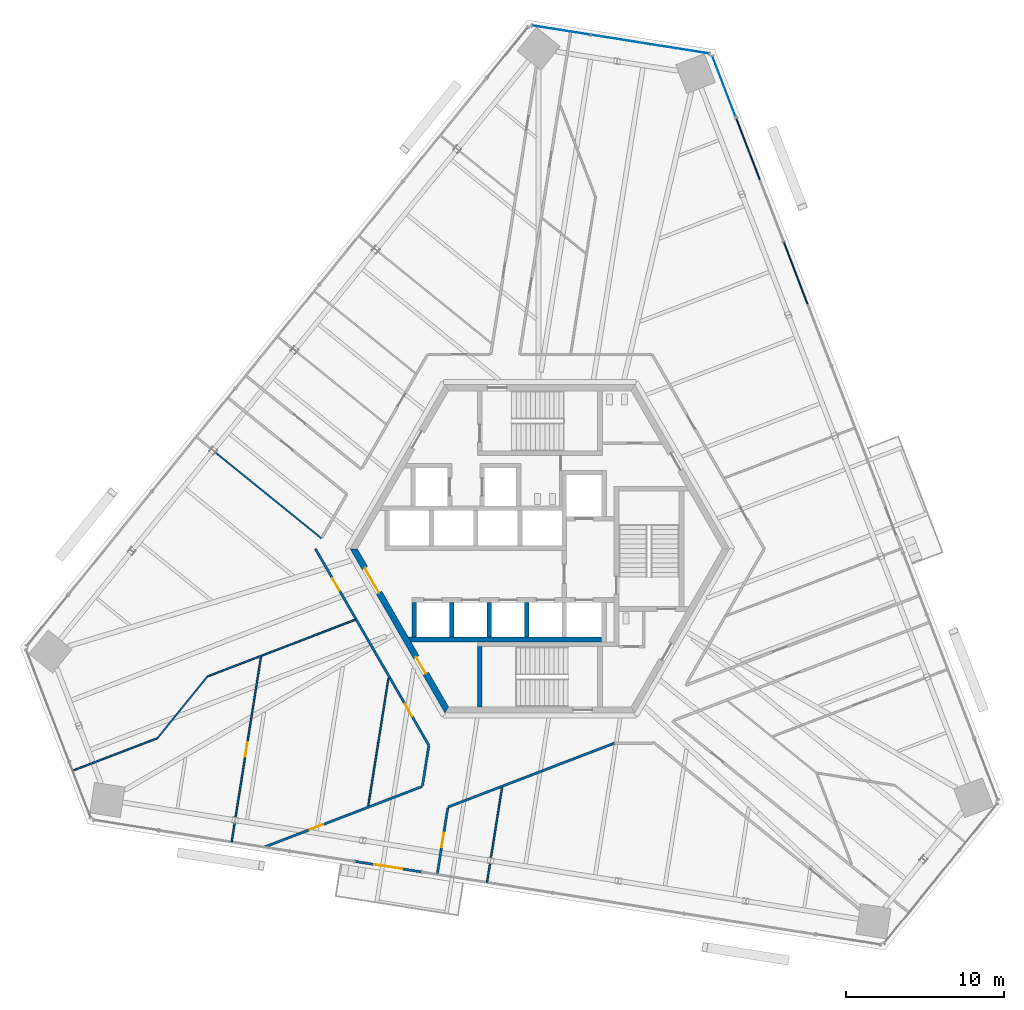
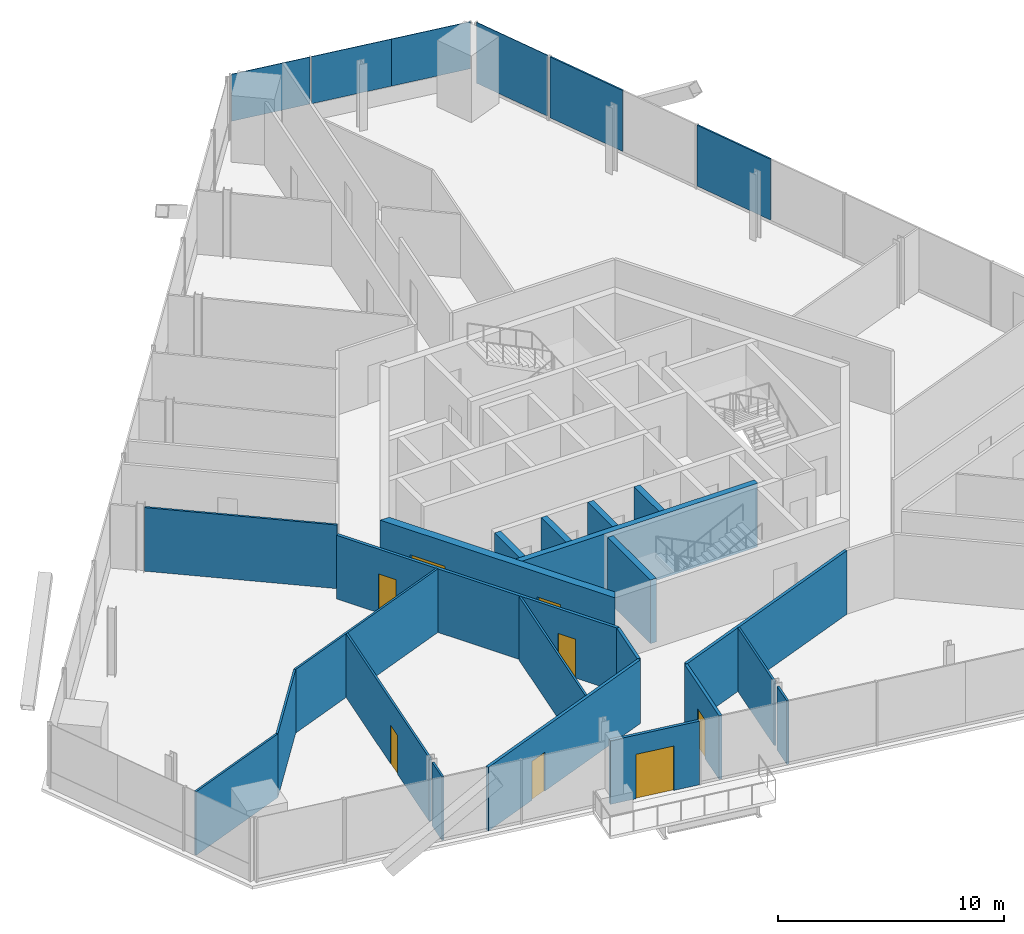
# One storey, part 11 of 19: 22 walls, 8 doors, 6 plates, 8 openings, 3 elements without a shape of their own.
"""IFC4 building model written with IfcOpenShell, lengths in metres."""

import ifcopenshell
import ifcopenshell.guid

model = None  # the IFC model being written
_history = None  # IfcOwnerHistory: only IFC2X3 demands one
_inside = {}  # id of a spatial element -> (the spatial element, [elements in it])
_under = {}  # id of a project, library or spatial element -> (it, [spatial elements below it])
_declared = {}  # id of a project -> (the project, [libraries it declares])
_typed = {}  # id of a type object -> (the type object, [elements of that type])
_made_of = {}  # id of a material, layer set ... -> (it, [elements and type objects made of it])


def new_model(schema):
    """Start an empty IFC model of exactly this schema.

    Asked for "IFC4X3", IfcOpenShell would pick the latest addendum, in which some entities
    have other attributes; the version numbers below select the first issue.
    IFC2X3 requires an IfcOwnerHistory on every rooted entity: one is made here for all.
    """
    global model, _history
    if schema == "IFC4X3":
        model = ifcopenshell.file(schema_version=(4, 3, 0, 0))
    else:
        model = ifcopenshell.file(schema=schema)
    _inside.clear()
    _under.clear()
    _declared.clear()
    _typed.clear()
    _made_of.clear()
    _history = None
    if model.schema == "IFC2X3":
        org = make("IfcOrganization", Name="unknown")
        user = make(
            "IfcPersonAndOrganization",
            ThePerson=make("IfcPerson", FamilyName="unknown"),
            TheOrganization=org,
        )
        app = make(
            "IfcApplication",
            ApplicationDeveloper=org,
            Version="unknown",
            ApplicationFullName="unknown",
            ApplicationIdentifier="unknown",
        )
        _history = make(
            "IfcOwnerHistory",
            OwningUser=user,
            OwningApplication=app,
            ChangeAction="ADDED",
            CreationDate=0,
        )
    return model


def make(cls, **values):
    """One entity of the class cls with the attributes given. An attribute that is None is left unset."""
    return model.create_entity(
        cls, **{name: value for name, value in values.items() if value is not None}
    )


def rooted(cls, **values):
    """An entity with a GlobalId (a new one), such as an element, a storey or a relation."""
    return make(cls, GlobalId=ifcopenshell.guid.new(), OwnerHistory=_history, **values)


def si_unit(unit_type, name, prefix=None):
    """IfcSIUnit, for example si_unit("LENGTHUNIT", "METRE", prefix="MILLI")."""
    return make("IfcSIUnit", UnitType=unit_type, Prefix=prefix, Name=name)


def assignment(units):
    """IfcUnitAssignment: the units of a project."""
    return None if units is None else make("IfcUnitAssignment", Units=units)


def point(xyz):
    """IfcCartesianPoint."""
    return None if xyz is None else make("IfcCartesianPoint", Coordinates=xyz)


def direction(xyz):
    """IfcDirection."""
    return None if xyz is None else make("IfcDirection", DirectionRatios=xyz)


def frame(location, z_axis=None, x_axis=None):
    """IfcAxis2Placement3D, a coordinate frame: its origin and axes. An axis left out is left unset."""
    return make(
        "IfcAxis2Placement3D",
        Location=point(location),
        Axis=direction(z_axis),
        RefDirection=direction(x_axis),
    )


def frame_2d(location, x_axis=None):
    """IfcAxis2Placement2D, a coordinate frame in the plane: its origin and x axis."""
    return make(
        "IfcAxis2Placement2D", Location=point(location), RefDirection=direction(x_axis)
    )


def origin():
    """The frame at (0, 0, 0) with its axes left unset."""
    return frame((0.0, 0.0, 0.0))


def origin_2d():
    """The frame at (0, 0) in the plane with its x axis left unset."""
    return frame_2d((0.0, 0.0))


def place(relative_to, where):
    """IfcLocalPlacement: puts the frame where relative to a parent placement (None: the world)."""
    return make(
        "IfcLocalPlacement", PlacementRelTo=relative_to, RelativePlacement=where
    )


def context(
    kind, dimensions, precision=None, world=None, true_north=None, identifier=None
):
    """IfcGeometricRepresentationContext, for example the 3D "Model" context."""
    return make(
        "IfcGeometricRepresentationContext",
        ContextIdentifier=identifier,
        ContextType=kind,
        CoordinateSpaceDimension=dimensions,
        Precision=precision,
        WorldCoordinateSystem=world,
        TrueNorth=true_north,
    )


def subcontext(parent, identifier, kind, view, scale=None):
    """IfcGeometricRepresentationSubContext, for example "Body" below "Model"."""
    return make(
        "IfcGeometricRepresentationSubContext",
        ContextIdentifier=identifier,
        ContextType=kind,
        ParentContext=parent,
        TargetScale=scale,
        TargetView=view,
    )


def project(units=None, contexts=None):
    """IfcProject with its units and contexts."""
    return rooted(
        "IfcProject",
        Name="project",
        RepresentationContexts=contexts,
        UnitsInContext=assignment(units),
    )


def spatial(cls, under=None, at=None, **own):
    """A site, building, storey or space (cls), placed at a placement, below another one or the project."""
    s = rooted(cls, ObjectPlacement=at, **own)
    if under is not None:
        _under.setdefault(under.id(), (under, []))[1].append(s)
    return s


def polyline(points):
    """IfcPolyline through the points."""
    return make("IfcPolyline", Points=[point(p) for p in points])


def profile(cls, at=None, kind="AREA", **sizes):
    """A parametric profile (cls). Its sizes go by their IFC names, for example OverallWidth=200.0."""
    return make(cls, ProfileType=kind, Position=at, **sizes)


def rectangle(**sizes):
    """IfcRectangleProfileDef."""
    return profile("IfcRectangleProfileDef", **sizes)


def outline(outer, holes=None, kind="AREA"):
    """IfcArbitraryClosedProfileDef: a profile drawn as a closed curve; with holes, ...WithVoids."""
    if holes is None:
        return make("IfcArbitraryClosedProfileDef", ProfileType=kind, OuterCurve=outer)
    return make(
        "IfcArbitraryProfileDefWithVoids",
        ProfileType=kind,
        OuterCurve=outer,
        InnerCurves=holes,
    )


def extrude(swept, where, along, depth):
    """IfcExtrudedAreaSolid: the profile swept, set in the frame where, extruded along a direction by depth."""
    return make(
        "IfcExtrudedAreaSolid",
        SweptArea=swept,
        Position=where,
        ExtrudedDirection=direction(along),
        Depth=depth,
    )


def shape(context_of_items, identifier, shape_type, items):
    """IfcShapeRepresentation: the items that make up one representation, for example the "Body"."""
    return make(
        "IfcShapeRepresentation",
        ContextOfItems=context_of_items,
        RepresentationIdentifier=identifier,
        RepresentationType=shape_type,
        Items=items,
    )


def source(mapping_origin, context_of_items, identifier, shape_type, items):
    """IfcRepresentationMap: a shape defined once, which mapped items show again and again."""
    return make(
        "IfcRepresentationMap",
        MappingOrigin=mapping_origin,
        MappedRepresentation=shape(context_of_items, identifier, shape_type, items),
    )


def transform(
    local_origin,
    x_axis=None,
    y_axis=None,
    z_axis=None,
    scale=None,
    scale2=None,
    scale3=None,
    uniform=True,
):
    """IfcCartesianTransformationOperator3D, or its non-uniform kind. x_axis, y_axis, z_axis: its Axis1, 2, 3."""
    if uniform:
        return make(
            "IfcCartesianTransformationOperator3D",
            Axis1=direction(x_axis),
            Axis2=direction(y_axis),
            LocalOrigin=point(local_origin),
            Scale=scale,
            Axis3=direction(z_axis),
        )
    return make(
        "IfcCartesianTransformationOperator3DnonUniform",
        Axis1=direction(x_axis),
        Axis2=direction(y_axis),
        LocalOrigin=point(local_origin),
        Scale=scale,
        Axis3=direction(z_axis),
        Scale2=scale2,
        Scale3=scale3,
    )


def mapped(mapping_source, mapping_target):
    """IfcMappedItem: shows the shape of a source again, moved by a transform."""
    return make(
        "IfcMappedItem", MappingSource=mapping_source, MappingTarget=mapping_target
    )


def material(Name=None, Category=None):
    """IfcMaterial."""
    return make("IfcMaterial", Name=Name, Category=Category)


def layer(
    of_material, thickness, ventilated=None, Name=None, Category=None, Priority=None
):
    """IfcMaterialLayer: one layer of a wall or slab, of a material (None: an air gap)."""
    return make(
        "IfcMaterialLayer",
        Material=of_material,
        LayerThickness=thickness,
        IsVentilated=ventilated,
        Name=Name,
        Category=Category,
        Priority=Priority,
    )


def layer_set(layers, Name=None):
    """IfcMaterialLayerSet."""
    return make("IfcMaterialLayerSet", MaterialLayers=layers, LayerSetName=Name)


def made_of(thing, what):
    """Note that an element or type object is made of a material, layer set ...; save() writes the relation."""
    if what is not None:
        _made_of.setdefault(what.id(), (what, []))[1].append(thing)
    return thing


def type_object(cls, material=None, **own):
    """A type object (cls), such as IfcWallType, which elements share."""
    return made_of(rooted(cls, **own), material)


def element(
    cls,
    number,
    at=None,
    inside=None,
    cuts=None,
    type_object=None,
    material=None,
    context=None,
    identifier="Body",
    shape_type=None,
    held_by="IfcProductDefinitionShape",
    body=None,
    shapes=None,
    **own,
):
    """One element of the class cls, such as IfcWall. Its Tag is "e" and its number.

    at: its placement. inside: the storey or other place that contains it. cuts: it is an
    opening in that element (IfcRelVoidsElement). A single representation is given by context,
    identifier, shape_type and body (its items); several are given by shapes. held_by: the class
    of the entity that holds the representations. save() writes the other relations.
    """
    e = rooted(cls, Tag="e%d" % number, ObjectPlacement=at, **own)
    if body is not None:
        shapes = [shape(context, identifier, shape_type, body)]
    if shapes is not None:
        e.Representation = make(held_by, Representations=shapes)
    if inside is not None:
        _inside.setdefault(inside.id(), (inside, []))[1].append(e)
    if cuts is not None:
        rooted(
            "IfcRelVoidsElement", RelatingBuildingElement=cuts, RelatedOpeningElement=e
        )
    if type_object is not None:
        _typed.setdefault(type_object.id(), (type_object, []))[1].append(e)
    return made_of(e, material)


def fill(opening, filler):
    """IfcRelFillsElement: the door or window that sits in an opening."""
    return rooted(
        "IfcRelFillsElement",
        RelatingOpeningElement=opening,
        RelatedBuildingElement=filler,
    )


def aggregate(whole, parts):
    """IfcRelAggregates: a whole, such as a stair, and the parts it consists of."""
    return rooted("IfcRelAggregates", RelatingObject=whole, RelatedObjects=parts)


def save(model, path):
    """Write the relations noted so far, then the file.

    IfcRelAggregates (storeys below a building ...), IfcRelContainedInSpatialStructure (elements
    in a storey), IfcRelDefinesByType, IfcRelAssociatesMaterial and IfcRelDeclares: one each for
    every whole, place, type object, material and project.
    """
    for whole, parts in _under.values():
        aggregate(whole, parts)
    for where, things in _inside.values():
        rooted(
            "IfcRelContainedInSpatialStructure",
            RelatedElements=things,
            RelatingStructure=where,
        )
    for kind, things in _typed.values():
        rooted("IfcRelDefinesByType", RelatedObjects=things, RelatingType=kind)
    for what, things in _made_of.values():
        rooted("IfcRelAssociatesMaterial", RelatedObjects=things, RelatingMaterial=what)
    for by, libraries in _declared.values():
        rooted("IfcRelDeclares", RelatingContext=by, RelatedDefinitions=libraries)
    model.write(path)


model = new_model("IFC4")

# Units and contexts
model_context = context("Model", 3, precision=1e-05, world=origin(), true_north=direction((0.0, 1.0)))
body_context = subcontext(model_context, "Body", "Model", "MODEL_VIEW")
ifc_project = project(units=[si_unit("LENGTHUNIT", "METRE"), si_unit("AREAUNIT", "SQUARE_METRE"), si_unit("VOLUMEUNIT", "CUBIC_METRE"), si_unit("PLANEANGLEUNIT", "RADIAN"), si_unit("MASSUNIT", "GRAM", prefix="KILO")], contexts=[model_context])

# Site, building, storey
site_placement = place(None, origin())
site = spatial("IfcSite", under=ifc_project, at=site_placement, CompositionType="ELEMENT")
building_placement = place(site_placement, origin())
building = spatial("IfcBuilding", under=site, at=building_placement, Name="Triune Harvest Tower", CompositionType="ELEMENT")
storey_placement = place(building_placement, frame((0.0, 0.0, 142.5)))
storey = spatial("IfcBuildingStorey", under=building, at=storey_placement, Name="L36", CompositionType="ELEMENT", Elevation=142.5)

# Curtain wall, plates
ifc_material_1 = material(Name="Aluminium bronze anodised", Category="aluminium")
curtain_wall_type_1 = type_object("IfcCurtainWallType", Name="CW-10 Balcony window wall with insulated spandrel infill", PredefinedType="NOTDEFINED", material=ifc_material_1)
curtain_wall_1_placement = place(storey_placement, origin())
curtain_wall_1 = element("IfcCurtainWall", 1, at=curtain_wall_1_placement, inside=storey, type_object=curtain_wall_type_1, Name="CW-10 B4-F1 L36 run 2")
ifc_material_2 = material(Name="Insulated spandrel panel, bronze aluminium pan", Category="aluminium")
ifc_layer_1 = layer(ifc_material_2, 0.080078125)
ifc_layer_set_1 = layer_set([ifc_layer_1], Name="Insulated spandrel panel, bronze aluminium pan")
plate_type_1 = type_object("IfcPlateType", Name="SP-1 insulated spandrel panel 80", PredefinedType="CURTAIN_PANEL", material=ifc_layer_set_1)
shared_shape_1 = source(origin(), body_context, "Body", "SweptSolid", [
    extrude(rectangle(XDim=4.13330078125, YDim=0.080078125, at=origin_2d()), origin(), (0.0, 0.0, 1.0), 3.2900390625),
])
plate_1_placement = place(storey_placement, frame((13.1640625, 25.28369140625, 0.14990234375), z_axis=(0.0, 0.0, 1.0), x_axis=(-0.358368448094, 0.933580235122, 0.0)))
plate_1 = element("IfcPlate", 2, at=plate_1_placement, type_object=plate_type_1, Name="CW-10 panel B4-F1 2.6", PredefinedType="CURTAIN_PANEL", context=body_context, shape_type="MappedRepresentation", body=[
    mapped(shared_shape_1, transform((0.0, 0.0, 0.0), scale=1.0)),
])
shared_shape_2 = source(origin(), body_context, "Body", "SweptSolid", [
    extrude(rectangle(XDim=4.170654296875, YDim=0.080078125, at=origin_2d()), origin(), (0.0, 0.0, 1.0), 3.2900390625),
])
plate_2_placement = place(storey_placement, frame((16.173583984375, 17.44384765625, 0.14990234375), z_axis=(0.0, 0.0, 1.0), x_axis=(-0.358368448094, 0.933580235122, 0.0)))
plate_2 = element("IfcPlate", 3, at=plate_2_placement, type_object=plate_type_1, Name="CW-10 panel B4-F1 2.4", PredefinedType="CURTAIN_PANEL", context=body_context, shape_type="MappedRepresentation", body=[
    mapped(shared_shape_2, transform((0.0, 0.0, 0.0), scale=1.0)),
])
aggregate(curtain_wall_1, [plate_2, plate_1])

# Curtain wall, plate
ifc_material_3 = material(Name="Aluminium bronze anodised", Category="aluminium")
curtain_wall_type_2 = type_object("IfcCurtainWallType", Name="CW-6 Balcony window wall", PredefinedType="NOTDEFINED", material=ifc_material_3)
curtain_wall_2_placement = place(storey_placement, origin())
curtain_wall_2 = element("IfcCurtainWall", 4, at=curtain_wall_2_placement, inside=storey, type_object=curtain_wall_type_2, Name="CW-6 B4-F1 L36 run 1002")
ifc_material_4 = material(Name="Glass", Category="glass")
ifc_layer_2 = layer(ifc_material_4, 0.030029296875)
ifc_layer_set_2 = layer_set([ifc_layer_2], Name="Glass")
plate_type_2 = type_object("IfcPlateType", Name="GL-6 panel 30", PredefinedType="CURTAIN_PANEL", material=ifc_layer_set_2)
shared_shape_3 = source(origin(), body_context, "Body", "SweptSolid", [
    extrude(rectangle(XDim=4.058349609375, YDim=0.030029296875, at=origin_2d()), origin(), (0.0, 0.0, 1.0), 3.2900390625),
])
plate_3_placement = place(storey_placement, frame((11.642578125, 29.24755859375, 0.14990234375), z_axis=(0.0, 0.0, 1.0), x_axis=(-0.35837421737, 0.93357802048, 0.0)))
plate_3 = element("IfcPlate", 5, at=plate_3_placement, type_object=plate_type_2, Name="CW-6 panel B4-F1 1002.1", PredefinedType="CURTAIN_PANEL", context=body_context, shape_type="MappedRepresentation", body=[
    mapped(shared_shape_3, transform((0.0, 0.0, 0.0), scale=1.0)),
])
aggregate(curtain_wall_2, [plate_3])

# Curtain wall, plates
ifc_material_5 = material(Name="Aluminium bronze anodised", Category="aluminium")
curtain_wall_type_3 = type_object("IfcCurtainWallType", Name="CW-1 Tower stick curtain wall", PredefinedType="NOTDEFINED", material=ifc_material_5)
curtain_wall_3_placement = place(storey_placement, origin())
curtain_wall_3 = element("IfcCurtainWall", 6, at=curtain_wall_3_placement, inside=storey, type_object=curtain_wall_type_3, Name="CW-1 B4-F2 L36 run 1")
ifc_material_6 = material(Name="Glass", Category="glass")
ifc_layer_3 = layer(ifc_material_6, 0.031982421875)
ifc_layer_set_3 = layer_set([ifc_layer_3], Name="Glass")
plate_type_3 = type_object("IfcPlateType", Name="GL-1 panel 32", PredefinedType="CURTAIN_PANEL", material=ifc_layer_set_3)
shared_shape_4 = source(origin(), body_context, "Body", "SweptSolid", [
    extrude(rectangle(XDim=3.74951171875, YDim=0.031982421875, at=origin_2d()), origin(), (0.0, 0.0, 1.0), 2.5400390625),
])
plate_4_placement = place(storey_placement, frame((8.841552734375, 31.614990234375, 0.89990234375), z_axis=(0.0, 0.0, 1.0), x_axis=(-0.987688615663, 0.156432728322, 0.0)))
plate_4 = element("IfcPlate", 7, at=plate_4_placement, type_object=plate_type_3, Name="CW-1 panel B4-F2 1.1", PredefinedType="CURTAIN_PANEL", context=body_context, shape_type="MappedRepresentation", body=[
    mapped(shared_shape_4, transform((0.0, 0.0, 0.0), scale=1.0)),
])
shared_shape_5 = source(origin(), body_context, "Body", "SweptSolid", [
    extrude(rectangle(XDim=3.787109375, YDim=0.031982421875, at=origin_2d()), origin(), (0.0, 0.0, 1.0), 2.5400390625),
])
plate_5_placement = place(storey_placement, frame((5.11962890625, 32.20458984375, 0.89990234375), z_axis=(0.0, 0.0, 1.0), x_axis=(-0.987688615663, 0.156432728322, 0.0)))
plate_5 = element("IfcPlate", 8, at=plate_5_placement, type_object=plate_type_3, Name="CW-1 panel B4-F2 1.2", PredefinedType="CURTAIN_PANEL", context=body_context, shape_type="MappedRepresentation", body=[
    mapped(shared_shape_5, transform((0.0, 0.0, 0.0), scale=1.0)),
])
shared_shape_6 = source(origin(), body_context, "Body", "SweptSolid", [
    extrude(rectangle(XDim=3.7119140625, YDim=0.031982421875, at=origin_2d()), origin(), (0.0, 0.0, 1.0), 2.5400390625),
])
plate_6_placement = place(storey_placement, frame((1.34228515625, 32.802734375, 0.89990234375), z_axis=(0.0, 0.0, 1.0), x_axis=(-0.987688615663, 0.156432728322, 0.0)))
plate_6 = element("IfcPlate", 9, at=plate_6_placement, type_object=plate_type_3, Name="CW-1 panel B4-F2 1.3", PredefinedType="CURTAIN_PANEL", context=body_context, shape_type="MappedRepresentation", body=[
    mapped(shared_shape_6, transform((0.0, 0.0, 0.0), scale=1.0)),
])
aggregate(curtain_wall_3, [plate_4, plate_5, plate_6])

# Wall, openings, doors
ifc_material_7 = material(Name="Gypsum board on steel studs", Category="steel")
ifc_layer_4 = layer(ifc_material_7, 0.14990234375)
ifc_layer_set_4 = layer_set([ifc_layer_4], Name="Gypsum board on steel studs")
wall_type_1 = type_object("IfcWallType", Name="Fire Partition 150 mm", PredefinedType="PARTITIONING", material=ifc_layer_set_4)
wall_1_placement = place(storey_placement, frame((-14.19384765625, 0.0, 0.0), z_axis=(0.0, 0.0, 1.0), x_axis=(0.499993881836, -0.866028936079, 0.0)))
wall_1 = element("IfcWall", 10, at=wall_1_placement, inside=storey, type_object=wall_type_1, Name="Partition L36 003", PredefinedType="PARTITIONING", context=body_context, shape_type="SweptSolid", body=[
    extrude(rectangle(XDim=14.352294921875, YDim=0.14990234375, at=frame_2d((7.17626953125, 0.0))), origin(), (0.0, 0.0, 1.0), 3.43994140625),
])
opening_1_placement = place(wall_1_placement, frame((2.14990234375, 0.0, 0.0)))
opening_1 = element("IfcOpeningElement", 11, at=opening_1_placement, cuts=wall_1, Name="Opening L36-014", PredefinedType="OPENING", context=body_context, shape_type="SweptSolid", body=[
    extrude(rectangle(XDim=0.89990234375, YDim=2.10009765625, at=frame_2d((0.449951171875, 1.050048828125))), frame((0.0, 0.0849609375, 0.0), z_axis=(0.0, -1.0, 0.0), x_axis=(1.0, 0.0, 0.0)), (0.0, 0.0, 1.0), 0.169921875),
])
opening_2_placement = place(wall_1_placement, frame((11.336181640625, 0.0, 0.0)))
opening_2 = element("IfcOpeningElement", 12, at=opening_2_placement, cuts=wall_1, Name="Opening L36-017", PredefinedType="OPENING", context=body_context, shape_type="SweptSolid", body=[
    extrude(rectangle(XDim=0.89990234375, YDim=2.10009765625, at=frame_2d((0.449951171875, 1.050048828125))), frame((0.0, 0.0849609375, 0.0), z_axis=(0.0, -1.0, 0.0), x_axis=(1.0, 0.0, 0.0)), (0.0, 0.0, 1.0), 0.169921875),
])
ifc_material_8 = material(Name="Timber and steel door set", Category="steel")
door_type_1 = type_object("IfcDoorType", Name="Single leaf door FD30 left hand 900 x 2100", OperationType="SINGLE_SWING_LEFT", PredefinedType="DOOR", material=ifc_material_8)
door_1_placement = place(opening_2_placement, origin())
door_1 = element("IfcDoor", 13, at=door_1_placement, inside=storey, type_object=door_type_1, Name="Door L36-017 Office 36.17", OperationType="SINGLE_SWING_LEFT", OverallHeight=2.10009765625, OverallWidth=0.89990234375, PredefinedType="DOOR", context=body_context, shape_type="SweptSolid", body=[
    extrude(rectangle(XDim=0.89990234375, YDim=2.10009765625, at=frame_2d((0.449951171875, 1.050048828125))), frame((0.0, 0.02490234375, 0.0), z_axis=(0.0, -1.0, 0.0), x_axis=(1.0, 0.0, 0.0)), (0.0, 0.0, 1.0), 0.050048828125),
])
fill(opening_2, door_1)
ifc_material_9 = material(Name="Timber and steel door set", Category="steel")
door_type_2 = type_object("IfcDoorType", Name="Single leaf door FD30 right hand 900 x 2100", OperationType="SINGLE_SWING_RIGHT", PredefinedType="DOOR", material=ifc_material_9)
door_2_placement = place(opening_1_placement, origin())
door_2 = element("IfcDoor", 14, at=door_2_placement, inside=storey, type_object=door_type_2, Name="Door L36-014 Pantry 36.14", OperationType="SINGLE_SWING_RIGHT", OverallHeight=2.10009765625, OverallWidth=0.89990234375, PredefinedType="DOOR", context=body_context, shape_type="SweptSolid", body=[
    extrude(rectangle(XDim=0.89990234375, YDim=2.10009765625, at=frame_2d((0.449951171875, 1.050048828125))), frame((0.0, 0.02490234375, 0.0), z_axis=(0.0, -1.0, 0.0), x_axis=(1.0, 0.0, 0.0)), (0.0, 0.0, 1.0), 0.050048828125),
])
fill(opening_1, door_2)

# Wall
ifc_material_10 = material(Name="Gypsum board on steel studs", Category="steel")
ifc_layer_5 = layer(ifc_material_10, 0.10009765625)
ifc_layer_set_5 = layer_set([ifc_layer_5], Name="Gypsum board on steel studs")
wall_type_2 = type_object("IfcWallType", Name="Partition 100 mm", PredefinedType="PARTITIONING", material=ifc_layer_set_5)
wall_2_placement = place(storey_placement, frame((-24.18359375, -11.974365234375, 0.0), z_axis=(0.0, 0.0, 1.0), x_axis=(0.629338257527, 0.777131493129, 0.0)))
element("IfcWall", 15, at=wall_2_placement, inside=storey, type_object=wall_type_2, Name="Partition L36 037", PredefinedType="PARTITIONING", context=body_context, shape_type="SweptSolid", body=[
    extrude(rectangle(XDim=5.01513671875, YDim=0.10009765625, at=frame_2d((2.507568359375, 0.0))), origin(), (0.0, 0.0, 1.0), 3.43994140625),
])

# Wall, openings, doors
ifc_material_11 = material(Name="Concrete 70 MPa", Category="concrete")
ifc_layer_6 = layer(ifc_material_11, 0.39990234375)
ifc_layer_set_6 = layer_set([ifc_layer_6], Name="Concrete 70 MPa")
wall_type_3 = type_object("IfcWallType", Name="Core wall 400", PredefinedType="SHEAR", material=ifc_layer_set_6)
shared_shape_7 = source(origin(), body_context, "Body", "SweptSolid", [
    extrude(outline(polyline([(-0.115478515625, -0.199951171875), (11.884521484375, -0.199951171875), (11.653564453125, 0.199951171875), (0.115478515625, 0.199951171875), (-0.115478515625, -0.199951171875)])), origin(), (0.0, 0.0, 1.0), 3.43994140625),
])
wall_3_placement = place(storey_placement, frame((-11.76904296875, 0.0, 0.0), z_axis=(0.0, 0.0, 1.0), x_axis=(0.499996592174, -0.866027371285, 0.0)))
wall_3 = element("IfcWall", 16, at=wall_3_placement, inside=storey, type_object=wall_type_3, Name="Hexagon 3 wall", PredefinedType="SHEAR", context=body_context, shape_type="MappedRepresentation", body=[
    mapped(shared_shape_7, transform((0.0, 0.0, 0.0), scale=1.0)),
])
opening_3_placement = place(wall_3_placement, frame((1.404541015625, 0.0, 0.0)))
opening_3 = element("IfcOpeningElement", 17, at=opening_3_placement, cuts=wall_3, Name="Opening CD-LS", PredefinedType="OPENING", context=body_context, shape_type="SweptSolid", body=[
    extrude(rectangle(XDim=1.800048828125, YDim=2.10009765625, at=frame_2d((0.89990234375, 1.050048828125))), frame((0.0, 0.2099609375, 0.0), z_axis=(0.0, -1.0, 0.0), x_axis=(1.0, 0.0, 0.0)), (0.0, 0.0, 1.0), 0.419921875),
])
opening_4_placement = place(wall_3_placement, frame((7.91455078125, 0.0, 0.0)))
opening_4 = element("IfcOpeningElement", 18, at=opening_4_placement, cuts=wall_3, Name="Opening CD-SWP", PredefinedType="OPENING", context=body_context, shape_type="SweptSolid", body=[
    extrude(rectangle(XDim=1.199951171875, YDim=2.10009765625, at=frame_2d((0.60009765625, 1.050048828125))), frame((0.0, 0.2099609375, 0.0), z_axis=(0.0, -1.0, 0.0), x_axis=(1.0, 0.0, 0.0)), (0.0, 0.0, 1.0), 0.419921875),
])
ifc_material_12 = material(Name="Steel S235", Category="steel")
door_type_3 = type_object("IfcDoorType", Name="Lobby door 1800 FD120", OperationType="DOUBLE_DOOR_DOUBLE_SWING", PredefinedType="DOOR", material=ifc_material_12)
door_3_placement = place(opening_3_placement, frame((1.800048828125, 0.0, 0.0), z_axis=(0.0, 0.0, 1.0), x_axis=(-1.0, 0.0, 0.0)))
door_3 = element("IfcDoor", 19, at=door_3_placement, inside=storey, type_object=door_type_3, Name="Door CD-LS", OperationType="DOUBLE_DOOR_DOUBLE_SWING", OverallHeight=2.10009765625, OverallWidth=1.800048828125, PredefinedType="DOOR", context=body_context, shape_type="SweptSolid", body=[
    extrude(rectangle(XDim=1.800048828125, YDim=2.10009765625, at=frame_2d((0.89990234375, 1.050048828125))), frame((0.0, 0.02490234375, 0.0), z_axis=(0.0, -1.0, 0.0), x_axis=(1.0, 0.0, 0.0)), (0.0, 0.0, 1.0), 0.050048828125),
])
fill(opening_3, door_3)
ifc_material_13 = material(Name="Steel S235", Category="steel")
door_type_4 = type_object("IfcDoorType", Name="Service door 1200 FD120", OperationType="SINGLE_SWING_LEFT", PredefinedType="DOOR", material=ifc_material_13)
door_4_placement = place(opening_4_placement, frame((1.199951171875, 0.0, 0.0), z_axis=(0.0, 0.0, 1.0), x_axis=(-1.0, 0.0, 0.0)))
door_4 = element("IfcDoor", 20, at=door_4_placement, inside=storey, type_object=door_type_4, Name="Door CD-SWP", OperationType="SINGLE_SWING_RIGHT", OverallHeight=2.10009765625, OverallWidth=1.199951171875, PredefinedType="DOOR", context=body_context, shape_type="SweptSolid", body=[
    extrude(rectangle(XDim=1.199951171875, YDim=2.10009765625, at=frame_2d((0.60009765625, 1.050048828125))), frame((0.0, 0.02490234375, 0.0), z_axis=(0.0, -1.0, 0.0), x_axis=(1.0, 0.0, 0.0)), (0.0, 0.0, 1.0), 0.050048828125),
])
fill(opening_4, door_4)

# Walls
ifc_material_14 = material(Name="Concrete 70 MPa", Category="concrete")
ifc_layer_7 = layer(ifc_material_14, 0.300048828125)
ifc_layer_set_7 = layer_set([ifc_layer_7], Name="Concrete 70 MPa")
wall_type_4 = type_object("IfcWallType", Name="Core wall 300", PredefinedType="SHEAR", material=ifc_layer_set_7)
shared_shape_8 = source(origin(), body_context, "Body", "SweptSolid", [
    extrude(outline(polyline([(12.0, -0.14990234375), (-0.039794921875, -0.14990234375), (-0.212890625, 0.14990234375), (12.0, 0.14990234375), (12.0, -0.14990234375)])), origin(), (0.0, 0.0, 1.0), 3.43994140625),
])
wall_4_placement = place(storey_placement, frame((-8.10009765625, -5.739990234375, 0.0), z_axis=(0.0, 0.0, 1.0), x_axis=(1.0, 0.0, 0.0)))
element("IfcWall", 21, at=wall_4_placement, inside=storey, type_object=wall_type_4, Name="South back wall", PredefinedType="SHEAR", context=body_context, shape_type="MappedRepresentation", body=[
    mapped(shared_shape_8, transform((0.0, 0.0, 0.0), scale=1.0)),
])
shared_shape_9 = source(origin(), body_context, "Body", "SweptSolid", [
    extrude(rectangle(XDim=2.2001953125, YDim=0.300048828125, at=frame_2d((1.10009765625, 0.0))), origin(), (0.0, 0.0, 1.0), 3.43994140625),
])
for number, where, z_axis, x_axis, name in (
    (22, (-7.949951171875, -5.590087890625, 0.0), (0.0, 0.0, 1.0), (0.0, 1.0, 0.0), "South end west wall"),
    (23, (-5.574951171875, -5.590087890625, 0.0), (0.0, 0.0, 1.0), (0.0, 1.0, 0.0), "South cross 1 wall"),
    (24, (-3.199951171875, -5.590087890625, 0.0), (0.0, 0.0, 1.0), (0.0, 1.0, 0.0), "South cross 2 wall"),
    (25, (-0.824951171875, -5.590087890625, 0.0), (0.0, 0.0, 1.0), (0.0, 1.0, 0.0), "South cross 3 wall"),
):
    element("IfcWall", number, at=place(storey_placement, frame(where, z_axis=z_axis, x_axis=x_axis)), inside=storey, type_object=wall_type_4, Name=name, PredefinedType="SHEAR", context=body_context, shape_type="MappedRepresentation", body=[
        mapped(shared_shape_9, transform((0.0, 0.0, 0.0), scale=1.0)),
    ])
shared_shape_10 = source(origin(), body_context, "Body", "SweptSolid", [
    extrude(outline(polyline([(3.800048828125, -0.14990234375), (-0.00439453125, -0.14990234375), (-0.00439453125, 0.14990234375), (3.800048828125, 0.14990234375), (3.800048828125, -0.14990234375)])), origin(), (0.0, 0.0, 1.0), 3.43994140625),
])
wall_5_placement = place(storey_placement, frame((-3.800048828125, -9.989990234375, 0.0), z_axis=(0.0, 0.0, 1.0), x_axis=(0.0, 1.0, 0.0)))
element("IfcWall", 26, at=wall_5_placement, inside=storey, type_object=wall_type_4, Name="Stair s west wall", PredefinedType="SHEAR", context=body_context, shape_type="MappedRepresentation", body=[
    mapped(shared_shape_10, transform((0.0, 0.0, 0.0), scale=1.0)),
])

# Wall, opening, door
ifc_material_15 = material(Name="Aluminium bronze anodised", Category="aluminium")
ifc_layer_8 = layer(ifc_material_15, 0.14990234375)
ifc_layer_set_8 = layer_set([ifc_layer_8], Name="Aluminium bronze anodised")
wall_type_5 = type_object("IfcWallType", Name="WW-2 balcony window wall", PredefinedType="ELEMENTEDWALL", material=ifc_layer_set_8)
shared_shape_11 = source(origin(), body_context, "Body", "SweptSolid", [
    extrude(rectangle(XDim=4.220947265625, YDim=0.14990234375, at=frame_2d((2.1103515625, 0.0))), origin(), (0.0, 0.0, 1.0), 3.43994140625),
])
wall_6_placement = place(storey_placement, frame((-7.50927734375, -20.427490234375, 0.0), z_axis=(0.0, 0.0, 1.0), x_axis=(-0.987684521611, 0.156458575249, 0.0)))
wall_6 = element("IfcWall", 27, at=wall_6_placement, inside=storey, type_object=wall_type_5, Name="WW-2 B4-F5 L36.5", PredefinedType="ELEMENTEDWALL", context=body_context, shape_type="MappedRepresentation", body=[
    mapped(shared_shape_11, transform((0.0, 0.0, 0.0), scale=1.0)),
])
opening_5_placement = place(wall_6_placement, frame((1.21044921875, 0.0, 0.0)))
opening_5 = element("IfcOpeningElement", 28, at=opening_5_placement, cuts=wall_6, Name="Opening L36-E02", PredefinedType="OPENING", context=body_context, shape_type="SweptSolid", body=[
    extrude(rectangle(XDim=1.800048828125, YDim=2.39990234375, at=frame_2d((0.89990234375, 1.199951171875))), frame((0.0, 0.0849609375, 0.0), z_axis=(0.0, -1.0, 0.0), x_axis=(1.0, 0.0, 0.0)), (0.0, 0.0, 1.0), 0.169921875),
])
ifc_material_16 = material(Name="Glass", Category="glass")
door_type_5 = type_object("IfcDoorType", Name="DB-1 balcony door 1800 x 2400", OperationType="DOUBLE_DOOR_SINGLE_SWING", PredefinedType="DOOR", material=ifc_material_16)
door_5_placement = place(opening_5_placement, origin())
door_5 = element("IfcDoor", 29, at=door_5_placement, inside=storey, type_object=door_type_5, Name="Door L36-E02", OperationType="DOUBLE_DOOR_SINGLE_SWING", OverallHeight=2.39990234375, OverallWidth=1.800048828125, PredefinedType="DOOR", context=body_context, shape_type="SweptSolid", body=[
    extrude(rectangle(XDim=1.800048828125, YDim=2.39990234375, at=frame_2d((0.89990234375, 1.199951171875))), frame((0.0, 0.02490234375, 0.0), z_axis=(0.0, -1.0, 0.0), x_axis=(1.0, 0.0, 0.0)), (0.0, 0.0, 1.0), 0.050048828125),
])
fill(opening_5, door_5)

# Walls
shared_shape_12 = source(origin(), body_context, "Body", "SweptSolid", [
    extrude(rectangle(XDim=1.212158203125, YDim=0.10009765625, at=frame_2d((0.60595703125, 0.0))), origin(), (0.0, 0.0, 1.0), 3.43994140625),
])
wall_7_placement = place(storey_placement, frame((-3.340087890625, -21.087890625, 0.0), z_axis=(0.0, 0.0, 1.0), x_axis=(0.156490008952, 0.987679541703, 0.0)))
element("IfcWall", 30, at=wall_7_placement, inside=storey, type_object=wall_type_2, Name="Partition L36 041", PredefinedType="PARTITIONING", context=body_context, shape_type="MappedRepresentation", body=[
    mapped(shared_shape_12, transform((0.0, 0.0, 0.0), scale=1.0)),
])
shared_shape_13 = source(origin(), body_context, "Body", "SweptSolid", [
    extrude(rectangle(XDim=8.63427734375, YDim=0.10009765625, at=frame_2d((4.317138671875, 0.0))), origin(), (0.0, 0.0, 1.0), 3.43994140625),
])
wall_8_placement = place(storey_placement, frame((-20.520751953125, 6.097900390625, 0.0), z_axis=(0.0, 0.0, 1.0), x_axis=(0.777158603042, -0.629304779672, 0.0)))
element("IfcWall", 31, at=wall_8_placement, inside=storey, type_object=wall_type_2, Name="Partition L36 006", PredefinedType="PARTITIONING", context=body_context, shape_type="MappedRepresentation", body=[
    mapped(shared_shape_13, transform((0.0, 0.0, 0.0), scale=1.0)),
])
shared_shape_14 = source(origin(), body_context, "Body", "SweptSolid", [
    extrude(rectangle(XDim=1.2119140625, YDim=0.10009765625, at=frame_2d((0.60595703125, 0.0))), origin(), (0.0, 0.0, 1.0), 3.43994140625),
])
wall_9_placement = place(storey_placement, frame((-19.48876953125, -18.530029296875, 0.0), z_axis=(0.0, 0.0, 1.0), x_axis=(0.15652114429, 0.987674608052, 0.0)))
element("IfcWall", 32, at=wall_9_placement, inside=storey, type_object=wall_type_2, Name="Partition L36 049", PredefinedType="PARTITIONING", context=body_context, shape_type="MappedRepresentation", body=[
    mapped(shared_shape_14, transform((0.0, 0.0, 0.0), scale=1.0)),
])
shared_shape_15 = source(origin(), body_context, "Body", "SweptSolid", [
    extrude(rectangle(XDim=5.740478515625, YDim=0.10009765625, at=frame_2d((2.8701171875, 0.0))), origin(), (0.0, 0.0, 1.0), 3.43994140625),
])
wall_10_placement = place(storey_placement, frame((-29.542724609375, -14.031494140625, 0.0), z_axis=(0.0, 0.0, 1.0), x_axis=(0.933583264235, 0.358360556897, 0.0)))
element("IfcWall", 33, at=wall_10_placement, inside=storey, type_object=wall_type_2, Name="Partition L36 033", PredefinedType="PARTITIONING", context=body_context, shape_type="MappedRepresentation", body=[
    mapped(shared_shape_15, transform((0.0, 0.0, 0.0), scale=1.0)),
])
shared_shape_16 = source(origin(), body_context, "Body", "SweptSolid", [
    extrude(rectangle(XDim=4.496337890625, YDim=0.10009765625, at=frame_2d((2.248046875, 0.0))), origin(), (0.0, 0.0, 1.0), 3.43994140625),
])
wall_11_placement = place(storey_placement, frame((-3.09521484375, -19.54150390625, 0.0), z_axis=(0.0, 0.0, 1.0), x_axis=(0.15648674704, 0.987680058521, 0.0)))
element("IfcWall", 34, at=wall_11_placement, inside=storey, type_object=wall_type_2, Name="Partition L36 042", PredefinedType="PARTITIONING", context=body_context, shape_type="MappedRepresentation", body=[
    mapped(shared_shape_16, transform((0.0, 0.0, 0.0), scale=1.0)),
])

# Wall, opening, door
shared_shape_17 = source(origin(), body_context, "Body", "SweptSolid", [
    extrude(rectangle(XDim=10.345458984375, YDim=0.10009765625, at=frame_2d((5.1728515625, 0.0))), origin(), (0.0, 0.0, 1.0), 3.43994140625),
])
wall_12_placement = place(storey_placement, frame((-19.243896484375, -16.98388671875, 0.0), z_axis=(0.0, 0.0, 1.0), x_axis=(0.156437596398, 0.987687844632, 0.0)))
wall_12 = element("IfcWall", 35, at=wall_12_placement, inside=storey, type_object=wall_type_2, Name="Partition L36 050", PredefinedType="PARTITIONING", context=body_context, shape_type="MappedRepresentation", body=[
    mapped(shared_shape_17, transform((0.0, 0.0, 0.0), scale=1.0)),
])
opening_6_placement = place(wall_12_placement, frame((3.8955078125, 0.0, 0.0)))
opening_6 = element("IfcOpeningElement", 36, at=opening_6_placement, cuts=wall_12, Name="Opening L36-015", PredefinedType="OPENING", context=body_context, shape_type="SweptSolid", body=[
    extrude(rectangle(XDim=0.89990234375, YDim=2.10009765625, at=frame_2d((0.449951171875, 1.050048828125))), frame((0.0, 0.06005859375, 0.0), z_axis=(0.0, -1.0, 0.0), x_axis=(1.0, 0.0, 0.0)), (0.0, 0.0, 1.0), 0.1201171875),
])
ifc_material_17 = material(Name="Timber and steel door set", Category="steel")
door_type_6 = type_object("IfcDoorType", Name="Single leaf door left hand 900 x 2100", OperationType="SINGLE_SWING_LEFT", PredefinedType="DOOR", material=ifc_material_17)
door_6_placement = place(opening_6_placement, origin())
door_6 = element("IfcDoor", 37, at=door_6_placement, inside=storey, type_object=door_type_6, Name="Door L36-015 Pantry 36.15", OperationType="SINGLE_SWING_LEFT", OverallHeight=2.10009765625, OverallWidth=0.89990234375, PredefinedType="DOOR", context=body_context, shape_type="SweptSolid", body=[
    extrude(rectangle(XDim=0.89990234375, YDim=2.10009765625, at=frame_2d((0.449951171875, 1.050048828125))), frame((0.0, 0.02490234375, 0.0), z_axis=(0.0, -1.0, 0.0), x_axis=(1.0, 0.0, 0.0)), (0.0, 0.0, 1.0), 0.050048828125),
])
fill(opening_6, door_6)

# Wall
shared_shape_18 = source(origin(), body_context, "Body", "SweptSolid", [
    extrude(rectangle(XDim=11.268798828125, YDim=0.14990234375, at=frame_2d((5.63427734375, 0.0))), origin(), (0.0, 0.0, 1.0), 3.43994140625),
])
wall_13_placement = place(storey_placement, frame((-5.81396484375, -16.33056640625, 0.0), z_axis=(0.0, 0.0, 1.0), x_axis=(0.933581043585, 0.358366341973, 0.0)))
element("IfcWall", 38, at=wall_13_placement, inside=storey, type_object=wall_type_1, Name="Partition L36 027", PredefinedType="PARTITIONING", context=body_context, shape_type="MappedRepresentation", body=[
    mapped(shared_shape_18, transform((0.0, 0.0, 0.0), scale=1.0)),
])

# Wall, opening, door
shared_shape_19 = source(origin(), body_context, "Body", "SweptSolid", [
    extrude(rectangle(XDim=10.701904296875, YDim=0.14990234375, at=frame_2d((5.35107421875, 0.0))), origin(), (0.0, 0.0, 1.0), 3.43994140625),
])
wall_14_placement = place(storey_placement, frame((-17.419921875, -18.85791015625, 0.0), z_axis=(0.0, 0.0, 1.0), x_axis=(0.933579418289, 0.358370576006, 0.0)))
wall_14 = element("IfcWall", 39, at=wall_14_placement, inside=storey, type_object=wall_type_1, Name="Partition L36 029", PredefinedType="PARTITIONING", context=body_context, shape_type="MappedRepresentation", body=[
    mapped(shared_shape_19, transform((0.0, 0.0, 0.0), scale=1.0)),
])
opening_7_placement = place(wall_14_placement, frame((3.07080078125, 0.0, 0.0)))
opening_7 = element("IfcOpeningElement", 40, at=opening_7_placement, cuts=wall_14, Name="Opening L36-016", PredefinedType="OPENING", context=body_context, shape_type="SweptSolid", body=[
    extrude(rectangle(XDim=0.89990234375, YDim=2.10009765625, at=frame_2d((0.449951171875, 1.050048828125))), frame((0.0, 0.0849609375, 0.0), z_axis=(0.0, -1.0, 0.0), x_axis=(1.0, 0.0, 0.0)), (0.0, 0.0, 1.0), 0.169921875),
])
door_7_placement = place(opening_7_placement, origin())
door_7 = element("IfcDoor", 41, at=door_7_placement, inside=storey, type_object=door_type_1, Name="Door L36-016 Open Office 36.16", OperationType="SINGLE_SWING_LEFT", OverallHeight=2.10009765625, OverallWidth=0.89990234375, PredefinedType="DOOR", context=body_context, shape_type="SweptSolid", body=[
    extrude(rectangle(XDim=0.89990234375, YDim=2.10009765625, at=frame_2d((0.449951171875, 1.050048828125))), frame((0.0, 0.02490234375, 0.0), z_axis=(0.0, -1.0, 0.0), x_axis=(1.0, 0.0, 0.0)), (0.0, 0.0, 1.0), 0.050048828125),
])
fill(opening_7, door_7)

# Wall
shared_shape_20 = source(origin(), body_context, "Body", "SweptSolid", [
    extrude(rectangle(XDim=10.010986328125, YDim=0.10009765625, at=frame_2d((5.00537109375, 0.0))), origin(), (0.0, 0.0, 1.0), 3.43994140625),
])
wall_15_placement = place(storey_placement, frame((-21.02099609375, -8.069091796875, 0.0), z_axis=(0.0, 0.0, 1.0), x_axis=(0.933589262428, 0.35834493031, 0.0)))
element("IfcWall", 42, at=wall_15_placement, inside=storey, type_object=wall_type_2, Name="Partition L36 034", PredefinedType="PARTITIONING", context=body_context, shape_type="MappedRepresentation", body=[
    mapped(shared_shape_20, transform((0.0, 0.0, 0.0), scale=1.0)),
])

# Wall, opening, door
shared_shape_21 = source(origin(), body_context, "Body", "SweptSolid", [
    extrude(rectangle(XDim=4.261474609375, YDim=0.14990234375, at=frame_2d((2.130859375, 0.0))), origin(), (0.0, 0.0, 1.0), 3.43994140625),
])
wall_16_placement = place(storey_placement, frame((-6.48828125, -20.589111328125, 0.0), z_axis=(0.0, 0.0, 1.0), x_axis=(0.156403851818, 0.987693188767, 0.0)))
wall_16 = element("IfcWall", 43, at=wall_16_placement, inside=storey, type_object=wall_type_1, Name="Partition L36 044", PredefinedType="PARTITIONING", context=body_context, shape_type="MappedRepresentation", body=[
    mapped(shared_shape_21, transform((0.0, 0.0, 0.0), scale=1.0)),
])
opening_8_placement = place(wall_16_placement, frame((1.75, 0.0, 0.0)))
opening_8 = element("IfcOpeningElement", 44, at=opening_8_placement, cuts=wall_16, Name="Opening L36-018", PredefinedType="OPENING", context=body_context, shape_type="SweptSolid", body=[
    extrude(rectangle(XDim=0.89990234375, YDim=2.10009765625, at=frame_2d((0.449951171875, 1.050048828125))), frame((0.0, 0.0849609375, 0.0), z_axis=(0.0, -1.0, 0.0), x_axis=(1.0, 0.0, 0.0)), (0.0, 0.0, 1.0), 0.169921875),
])
door_8_placement = place(opening_8_placement, origin())
door_8 = element("IfcDoor", 45, at=door_8_placement, inside=storey, type_object=door_type_1, Name="Door L36-018 Meeting Room 36.18", OperationType="SINGLE_SWING_LEFT", OverallHeight=2.10009765625, OverallWidth=0.89990234375, PredefinedType="DOOR", context=body_context, shape_type="SweptSolid", body=[
    extrude(rectangle(XDim=0.89990234375, YDim=2.10009765625, at=frame_2d((0.449951171875, 1.050048828125))), frame((0.0, 0.02490234375, 0.0), z_axis=(0.0, -1.0, 0.0), x_axis=(1.0, 0.0, 0.0)), (0.0, 0.0, 1.0), 0.050048828125),
])
fill(opening_8, door_8)

# Walls
shared_shape_22 = source(origin(), body_context, "Body", "SweptSolid", [
    extrude(rectangle(XDim=2.54443359375, YDim=0.14990234375, at=frame_2d((1.272216796875, 0.0))), origin(), (0.0, 0.0, 1.0), 3.43994140625),
])
wall_17_placement = place(storey_placement, frame((-7.420654296875, -14.973388671875, 0.0), z_axis=(0.0, 0.0, 1.0), x_axis=(0.156396142181, 0.987694409578, 0.0)))
element("IfcWall", 46, at=wall_17_placement, inside=storey, type_object=wall_type_1, Name="Partition L36 046", PredefinedType="PARTITIONING", context=body_context, shape_type="MappedRepresentation", body=[
    mapped(shared_shape_22, transform((0.0, 0.0, 0.0), scale=1.0)),
])
shared_shape_23 = source(origin(), body_context, "Body", "SweptSolid", [
    extrude(rectangle(XDim=8.162841796875, YDim=0.10009765625, at=frame_2d((4.08154296875, 0.0))), origin(), (0.0, 0.0, 1.0), 3.43994140625),
])
wall_18_placement = place(storey_placement, frame((-10.85107421875, -16.252685546875, 0.0), z_axis=(0.0, 0.0, 1.0), x_axis=(0.156424854849, 0.987689862652, 0.0)))
element("IfcWall", 47, at=wall_18_placement, inside=storey, type_object=wall_type_2, Name="Partition L36 048", PredefinedType="PARTITIONING", context=body_context, shape_type="MappedRepresentation", body=[
    mapped(shared_shape_23, transform((0.0, 0.0, 0.0), scale=1.0)),
])

save(model, "model.ifc")
